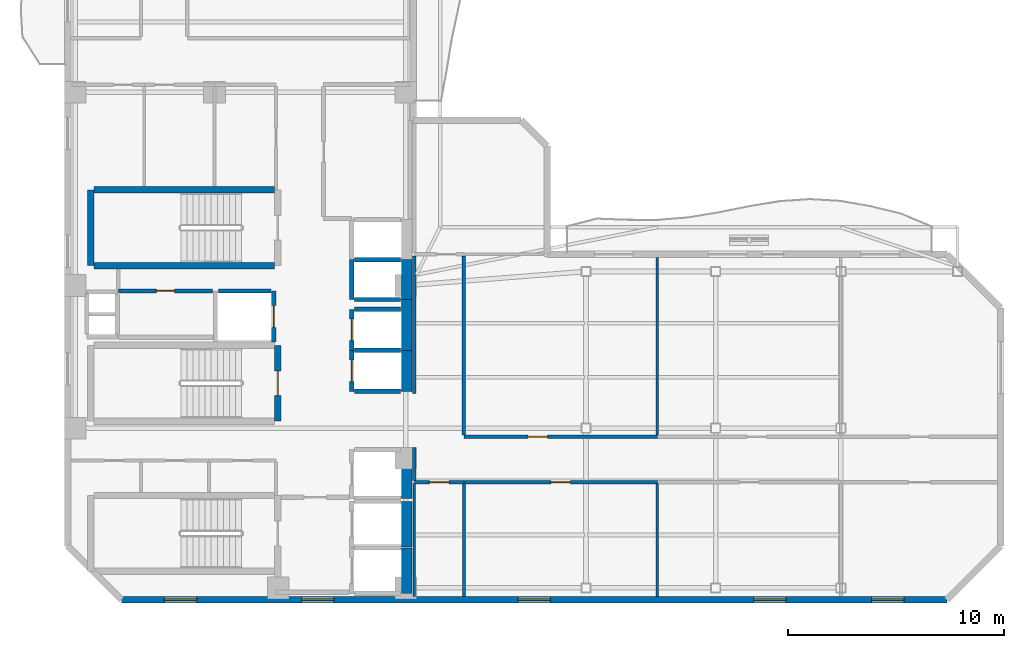
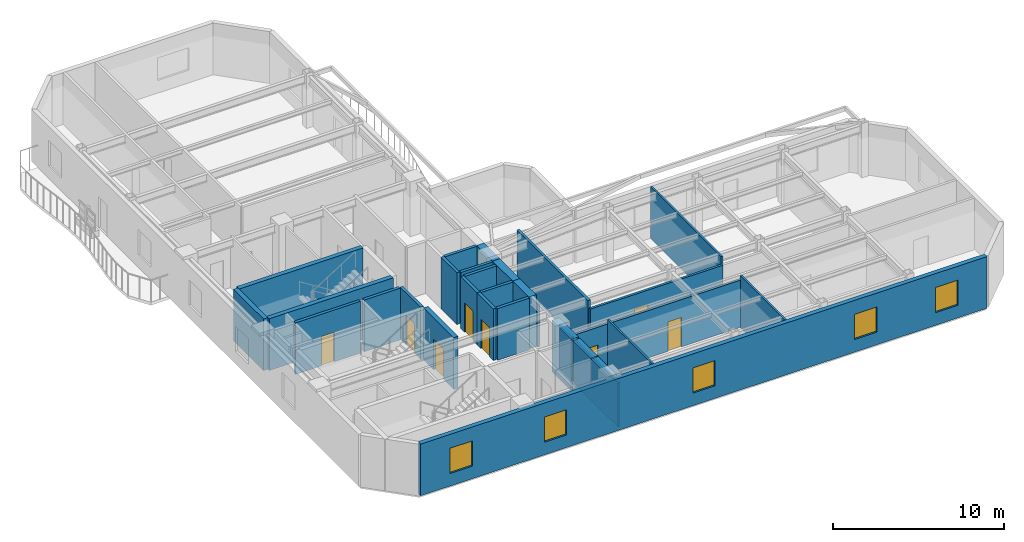
# One storey, part 3 of 8: 32 walls, 8 doors, 5 windows, 13 openings.
"""IFC4 building model written with IfcOpenShell, lengths in metres."""

from ifc_helpers import new_model, si_unit, direction, frame, frame_2d, origin, place, context, subcontext, project, spatial, rectangle, extrude, material, layer, layer_set, type_object, element, fill, save


model = new_model("IFC4")

# Units and contexts
model_context = context("Model", 3, precision=1e-05, world=origin(), true_north=direction((0.0, 1.0)))
body_context = subcontext(model_context, "Body", "Model", "MODEL_VIEW")
ifc_project = project(units=[si_unit("LENGTHUNIT", "METRE"), si_unit("AREAUNIT", "SQUARE_METRE"), si_unit("VOLUMEUNIT", "CUBIC_METRE"), si_unit("PLANEANGLEUNIT", "RADIAN"), si_unit("MASSUNIT", "GRAM", prefix="KILO")], contexts=[model_context])

# Site, building, storey
site_placement = place(None, origin())
site = spatial("IfcSite", under=ifc_project, at=site_placement, CompositionType="ELEMENT")
building_placement = place(site_placement, origin())
building = spatial("IfcBuilding", under=site, at=building_placement, Name="Mawjaban Terraces University", CompositionType="ELEMENT")
storey_placement = place(building_placement, frame((0.0, 0.0, 218.699951171875)))
storey = spatial("IfcBuildingStorey", under=building, at=storey_placement, Name="L53", CompositionType="ELEMENT", Elevation=218.699951171875)

# Walls
ifc_material_1 = material(Name="Concrete C60/75", Category="concrete")
ifc_layer_1 = layer(ifc_material_1, 0.5)
ifc_layer_set_1 = layer_set([ifc_layer_1], Name="Concrete C60/75")
wall_type_1 = type_object("IfcWallType", Name="CoreShearWall_500", PredefinedType="SHEAR", material=ifc_layer_set_1)
wall_1_placement = place(storey_placement, frame((37.699951171875, 0.300048828125, 0.0), z_axis=(0.0, 0.0, 1.0), x_axis=(0.0, 1.0, 0.0)))
element("IfcWall", 1, at=wall_1_placement, inside=storey, type_object=wall_type_1, Name="L53 Lift FL-1 Hoistway Wall East", PredefinedType="SHEAR", context=body_context, shape_type="SweptSolid", body=[
    extrude(rectangle(XDim=2.099853515625, YDim=0.5, at=frame_2d((1.0498046875, 0.0))), origin(), (0.0, 0.0, 1.0), 3.68994140625),
])
wall_2_placement = place(storey_placement, frame((37.699951171875, 2.449951171875, 0.0), z_axis=(0.0, 0.0, 1.0), x_axis=(0.0, 1.0, 0.0)))
element("IfcWall", 2, at=wall_2_placement, inside=storey, type_object=wall_type_1, Name="L53 Lift FL-2 Hoistway Wall East", PredefinedType="SHEAR", context=body_context, shape_type="SweptSolid", body=[
    extrude(rectangle(XDim=2.10009765625, YDim=0.5, at=frame_2d((1.050048828125, 0.0))), origin(), (0.0, 0.0, 1.0), 3.68994140625),
])
wall_3_placement = place(storey_placement, frame((37.699951171875, 4.699951171875, 0.0), z_axis=(0.0, 0.0, 1.0), x_axis=(0.0, 1.0, 0.0)))
element("IfcWall", 3, at=wall_3_placement, inside=storey, type_object=wall_type_1, Name="L53 Lift SL-1 Hoistway Wall East", PredefinedType="SHEAR", context=body_context, shape_type="SweptSolid", body=[
    extrude(rectangle(XDim=2.25, YDim=0.5, at=frame_2d((1.125, 0.0))), origin(), (0.0, 0.0, 1.0), 3.68994140625),
])
wall_4_placement = place(storey_placement, frame((37.699951171875, 9.64990234375, 0.0), z_axis=(0.0, 0.0, 1.0), x_axis=(0.0, 1.0, 0.0)))
element("IfcWall", 4, at=wall_4_placement, inside=storey, type_object=wall_type_1, Name="L53 Lift PL-H1 Hoistway Wall East", PredefinedType="SHEAR", context=body_context, shape_type="SweptSolid", body=[
    extrude(rectangle(XDim=1.900146484375, YDim=0.5, at=frame_2d((0.9501953125, 0.0))), origin(), (0.0, 0.0, 1.0), 3.68994140625),
])
wall_5_placement = place(storey_placement, frame((37.699951171875, 11.550048828125, 0.0), z_axis=(0.0, 0.0, 1.0), x_axis=(0.0, 1.0, 0.0)))
element("IfcWall", 5, at=wall_5_placement, inside=storey, type_object=wall_type_1, Name="L53 Lift PL-H2 Hoistway Wall East", PredefinedType="SHEAR", context=body_context, shape_type="SweptSolid", body=[
    extrude(rectangle(XDim=2.349853515625, YDim=0.5, at=frame_2d((1.1748046875, 0.0))), origin(), (0.0, 0.0, 1.0), 3.68994140625),
])
wall_6_placement = place(storey_placement, frame((37.699951171875, 13.89990234375, 0.0), z_axis=(0.0, 0.0, 1.0), x_axis=(0.0, 1.0, 0.0)))
element("IfcWall", 6, at=wall_6_placement, inside=storey, type_object=wall_type_1, Name="L53 Lift OL-1 Hoistway Wall East", PredefinedType="SHEAR", context=body_context, shape_type="SweptSolid", body=[
    extrude(rectangle(XDim=1.85009765625, YDim=0.5, at=frame_2d((0.925048828125, 0.0))), origin(), (0.0, 0.0, 1.0), 3.68994140625),
])

# Wall, opening, door
ifc_material_2 = material(Name="Fire-rated gypsum board on steel stud", Category="steel")
ifc_layer_2 = layer(ifc_material_2, 0.159912109375)
ifc_layer_set_2 = layer_set([ifc_layer_2], Name="Fire-rated gypsum board on steel stud")
wall_type_2 = type_object("IfcWallType", Name="CorridorPartition_160", PredefinedType="PARTITIONING", material=ifc_layer_set_2)
wall_7_placement = place(storey_placement, frame((38.050048828125, 5.449951171875, 0.0), z_axis=(0.0, 0.0, 1.0), x_axis=(1.0, 0.0, 0.0)))
wall_7 = element("IfcWall", 7, at=wall_7_placement, inside=storey, type_object=wall_type_2, Name="L53 South Spine Spur Link Partition 15", PredefinedType="PARTITIONING", context=body_context, shape_type="SweptSolid", body=[
    extrude(rectangle(XDim=2.300048828125, YDim=0.159912109375, at=frame_2d((1.14990234375, 0.0))), origin(), (0.0, 0.0, 1.0), 3.3720703125),
])
opening_1_placement = place(wall_7_placement, frame((0.699951171875, 0.0, 0.0)))
opening_1 = element("IfcOpeningElement", 8, at=opening_1_placement, cuts=wall_7, Name="Opening ID-090", PredefinedType="OPENING", context=body_context, shape_type="SweptSolid", body=[
    extrude(rectangle(XDim=0.89990234375, YDim=2.10009765625, at=frame_2d((0.449951171875, 1.050048828125))), frame((0.0, 0.08984375, 0.0), z_axis=(0.0, -1.0, 0.0), x_axis=(1.0, 0.0, 0.0)), (0.0, 0.0, 1.0), 0.179931640625),
])
ifc_material_3 = material(Name="Powder-coated steel frame and solid acoustic timber leaf", Category="steel")
door_type_1 = type_object("IfcDoorType", Name="OfficeDoor_900x2100", OperationType="NOTDEFINED", PredefinedType="DOOR", material=ifc_material_3)
door_1_placement = place(opening_1_placement, origin())
door_1 = element("IfcDoor", 9, at=door_1_placement, inside=storey, type_object=door_type_1, Name="L53 Collaborative Study Room 1 Door", OperationType="SINGLE_SWING_LEFT", OverallHeight=2.10009765625, OverallWidth=0.89990234375, PredefinedType="DOOR", context=body_context, shape_type="SweptSolid", body=[
    extrude(rectangle(XDim=0.89990234375, YDim=2.10009765625, at=frame_2d((0.449951171875, 1.050048828125))), frame((0.0, 0.02490234375, 0.0), z_axis=(0.0, -1.0, 0.0), x_axis=(1.0, 0.0, 0.0)), (0.0, 0.0, 1.0), 0.050048828125),
])
fill(opening_1, door_1)

wall_8_placement = place(storey_placement, frame((40.35009765625, 5.449951171875, 0.0), z_axis=(0.0, 0.0, 1.0), x_axis=(1.0, 0.0, 0.0)))
wall_8 = element("IfcWall", 10, at=wall_8_placement, inside=storey, type_object=wall_type_2, Name="L53 South Shifted Academic Corridor Partition 16", PredefinedType="PARTITIONING", context=body_context, shape_type="SweptSolid", body=[
    extrude(rectangle(XDim=8.949951171875, YDim=0.159912109375, at=frame_2d((4.47509765625, 0.0))), origin(), (0.0, 0.0, 1.0), 3.3720703125),
])
opening_2_placement = place(wall_8_placement, frame((4.02490234375, 0.0, 0.0)))
opening_2 = element("IfcOpeningElement", 11, at=opening_2_placement, cuts=wall_8, Name="Opening ID-090", PredefinedType="OPENING", context=body_context, shape_type="SweptSolid", body=[
    extrude(rectangle(XDim=0.89990234375, YDim=2.10009765625, at=frame_2d((0.449951171875, 1.050048828125))), frame((0.0, 0.08984375, 0.0), z_axis=(0.0, -1.0, 0.0), x_axis=(1.0, 0.0, 0.0)), (0.0, 0.0, 1.0), 0.179931640625),
])
door_2_placement = place(opening_2_placement, origin())
door_2 = element("IfcDoor", 12, at=door_2_placement, inside=storey, type_object=door_type_1, Name="L53 Graduate Study Lounge 2 Door", OperationType="SINGLE_SWING_RIGHT", OverallHeight=2.10009765625, OverallWidth=0.89990234375, PredefinedType="DOOR", context=body_context, shape_type="SweptSolid", body=[
    extrude(rectangle(XDim=0.89990234375, YDim=2.10009765625, at=frame_2d((0.449951171875, 1.050048828125))), frame((0.0, 0.02490234375, 0.0), z_axis=(0.0, -1.0, 0.0), x_axis=(1.0, 0.0, 0.0)), (0.0, 0.0, 1.0), 0.050048828125),
])
fill(opening_2, door_2)

wall_9_placement = place(storey_placement, frame((49.300048828125, 7.550048828125, 0.0), z_axis=(0.0, 0.0, 1.0), x_axis=(-1.0, 0.0, 0.0)))
wall_9 = element("IfcWall", 13, at=wall_9_placement, inside=storey, type_object=wall_type_2, Name="L53 South Shifted Academic Corridor Partition 20", PredefinedType="PARTITIONING", context=body_context, shape_type="SweptSolid", body=[
    extrude(rectangle(XDim=8.949951171875, YDim=0.159912109375, at=frame_2d((4.47509765625, 0.0))), origin(), (0.0, 0.0, 1.0), 3.14599609375),
])
opening_3_placement = place(wall_9_placement, frame((5.074951171875, 0.0, 0.0)))
opening_3 = element("IfcOpeningElement", 14, at=opening_3_placement, cuts=wall_9, Name="Opening ID-090", PredefinedType="OPENING", context=body_context, shape_type="SweptSolid", body=[
    extrude(rectangle(XDim=0.89990234375, YDim=2.10009765625, at=frame_2d((0.449951171875, 1.050048828125))), frame((0.0, 0.08984375, 0.0), z_axis=(0.0, -1.0, 0.0), x_axis=(1.0, 0.0, 0.0)), (0.0, 0.0, 1.0), 0.179931640625),
])
door_3_placement = place(opening_3_placement, origin())
door_3 = element("IfcDoor", 15, at=door_3_placement, inside=storey, type_object=door_type_1, Name="L53 Collaborative Study Room 3 Door", OperationType="SINGLE_SWING_LEFT", OverallHeight=2.10009765625, OverallWidth=0.89990234375, PredefinedType="DOOR", context=body_context, shape_type="SweptSolid", body=[
    extrude(rectangle(XDim=0.89990234375, YDim=2.10009765625, at=frame_2d((0.449951171875, 1.050048828125))), frame((0.0, 0.02490234375, 0.0), z_axis=(0.0, -1.0, 0.0), x_axis=(1.0, 0.0, 0.0)), (0.0, 0.0, 1.0), 0.050048828125),
])
fill(opening_3, door_3)

# Walls
wall_10_placement = place(storey_placement, frame((38.050048828125, 7.050048828125, 0.0), z_axis=(0.0, 0.0, 1.0), x_axis=(0.0, -1.0, 0.0)))
element("IfcWall", 16, at=wall_10_placement, inside=storey, type_object=wall_type_2, Name="L53 South Spine Spur Link Partition 36", PredefinedType="PARTITIONING", context=body_context, shape_type="SweptSolid", body=[
    extrude(rectangle(XDim=1.525146484375, YDim=0.159912109375, at=frame_2d((0.7626953125, 0.0))), origin(), (0.0, 0.0, 1.0), 3.14599609375),
])
wall_11_placement = place(storey_placement, frame((38.050048828125, 15.925048828125, 0.0), z_axis=(0.0, 0.0, 1.0), x_axis=(0.0, -1.0, 0.0)))
element("IfcWall", 17, at=wall_11_placement, inside=storey, type_object=wall_type_2, Name="L53 South Spine Spur Link Partition 37", PredefinedType="PARTITIONING", context=body_context, shape_type="SweptSolid", body=[
    extrude(rectangle(XDim=6.375, YDim=0.159912109375, at=frame_2d((3.1875, 0.0))), origin(), (0.0, 0.0, 1.0), 3.14599609375),
])
wall_12_placement = place(storey_placement, frame((40.35009765625, 7.625, 0.0), z_axis=(0.0, 0.0, 1.0), x_axis=(0.0, 1.0, 0.0)))
element("IfcWall", 18, at=wall_12_placement, inside=storey, type_object=wall_type_2, Name="L53 South Spine Spur Link Partition 40", PredefinedType="PARTITIONING", context=body_context, shape_type="SweptSolid", body=[
    extrude(rectangle(XDim=8.300048828125, YDim=0.159912109375, at=frame_2d((4.14990234375, 0.0))), origin(), (0.0, 0.0, 1.0), 3.68994140625),
])

# Wall, openings, windows
ifc_material_4 = material(Name="Insulated terracotta rainscreen on concrete backup C40/50", Category="masonry")
ifc_layer_3 = layer(ifc_material_4, 0.300048828125)
ifc_layer_set_3 = layer_set([ifc_layer_3], Name="Insulated terracotta rainscreen on concrete backup C40/50")
wall_type_3 = type_object("IfcWallType", Name="ExtTerracottaWall_300", PredefinedType="SOLIDWALL", material=ifc_layer_set_3)
wall_13_placement = place(storey_placement, frame((24.5, 0.0, 0.0), z_axis=(0.0, 0.0, 1.0), x_axis=(1.0, 0.0, 0.0)))
wall_13 = element("IfcWall", 19, at=wall_13_placement, inside=storey, type_object=wall_type_3, Name="L53 Exterior Terracotta Wall 1", PredefinedType="SOLIDWALL", context=body_context, shape_type="SweptSolid", body=[
    extrude(rectangle(XDim=38.199951171875, YDim=0.300048828125, at=frame_2d((19.10009765625, 0.0))), origin(), (0.0, 0.0, 1.0), 3.68994140625),
])
opening_4_placement = place(wall_13_placement, frame((1.97900390625, 0.0, 0.89990234375)))
opening_4 = element("IfcOpeningElement", 20, at=opening_4_placement, cuts=wall_13, Name="Opening W-06", PredefinedType="OPENING", context=body_context, shape_type="SweptSolid", body=[
    extrude(rectangle(XDim=1.5, YDim=1.800048828125, at=frame_2d((0.75, 0.89990234375))), frame((0.0, 0.159912109375, 0.0), z_axis=(0.0, -1.0, 0.0), x_axis=(1.0, 0.0, 0.0)), (0.0, 0.0, 1.0), 0.320068359375),
])
opening_5_placement = place(wall_13_placement, frame((8.3359375, 0.0, 0.89990234375)))
opening_5 = element("IfcOpeningElement", 21, at=opening_5_placement, cuts=wall_13, Name="Opening W-06", PredefinedType="OPENING", context=body_context, shape_type="SweptSolid", body=[
    extrude(rectangle(XDim=1.5, YDim=1.800048828125, at=frame_2d((0.75, 0.89990234375))), frame((0.0, 0.159912109375, 0.0), z_axis=(0.0, -1.0, 0.0), x_axis=(1.0, 0.0, 0.0)), (0.0, 0.0, 1.0), 0.320068359375),
])
opening_6_placement = place(wall_13_placement, frame((18.35009765625, 0.0, 0.89990234375)))
opening_6 = element("IfcOpeningElement", 22, at=opening_6_placement, cuts=wall_13, Name="Opening W-06", PredefinedType="OPENING", context=body_context, shape_type="SweptSolid", body=[
    extrude(rectangle(XDim=1.5, YDim=1.800048828125, at=frame_2d((0.75, 0.89990234375))), frame((0.0, 0.159912109375, 0.0), z_axis=(0.0, -1.0, 0.0), x_axis=(1.0, 0.0, 0.0)), (0.0, 0.0, 1.0), 0.320068359375),
])
opening_7_placement = place(wall_13_placement, frame((29.263916015625, 0.0, 0.89990234375)))
opening_7 = element("IfcOpeningElement", 23, at=opening_7_placement, cuts=wall_13, Name="Opening W-06", PredefinedType="OPENING", context=body_context, shape_type="SweptSolid", body=[
    extrude(rectangle(XDim=1.5, YDim=1.800048828125, at=frame_2d((0.75, 0.89990234375))), frame((0.0, 0.159912109375, 0.0), z_axis=(0.0, -1.0, 0.0), x_axis=(1.0, 0.0, 0.0)), (0.0, 0.0, 1.0), 0.320068359375),
])
opening_8_placement = place(wall_13_placement, frame((34.720947265625, 0.0, 0.89990234375)))
opening_8 = element("IfcOpeningElement", 24, at=opening_8_placement, cuts=wall_13, Name="Opening W-06", PredefinedType="OPENING", context=body_context, shape_type="SweptSolid", body=[
    extrude(rectangle(XDim=1.5, YDim=1.800048828125, at=frame_2d((0.75, 0.89990234375))), frame((0.0, 0.159912109375, 0.0), z_axis=(0.0, -1.0, 0.0), x_axis=(1.0, 0.0, 0.0)), (0.0, 0.0, 1.0), 0.320068359375),
])
ifc_material_5 = material(Name="Low-E solar-control double glazing in thermally broken aluminium frame", Category="aluminium")
window_type = type_object("IfcWindowType", Name="Win_1500x1800", PartitioningType="SINGLE_PANEL", PredefinedType="WINDOW", material=ifc_material_5)
window_1_placement = place(opening_4_placement, origin())
window_1 = element("IfcWindow", 25, at=window_1_placement, inside=storey, type_object=window_type, Name="L53 Facade Window 1.1", OverallHeight=1.800048828125, OverallWidth=1.5, PartitioningType="SINGLE_PANEL", PredefinedType="WINDOW", context=body_context, shape_type="SweptSolid", body=[
    extrude(rectangle(XDim=1.5, YDim=1.800048828125, at=frame_2d((0.75, 0.89990234375))), frame((0.0, 0.030029296875, 0.0), z_axis=(0.0, -1.0, 0.0), x_axis=(1.0, 0.0, 0.0)), (0.0, 0.0, 1.0), 0.06005859375),
])
fill(opening_4, window_1)
window_2_placement = place(opening_5_placement, origin())
window_2 = element("IfcWindow", 26, at=window_2_placement, inside=storey, type_object=window_type, Name="L53 Facade Window 1.2", OverallHeight=1.800048828125, OverallWidth=1.5, PartitioningType="SINGLE_PANEL", PredefinedType="WINDOW", context=body_context, shape_type="SweptSolid", body=[
    extrude(rectangle(XDim=1.5, YDim=1.800048828125, at=frame_2d((0.75, 0.89990234375))), frame((0.0, 0.030029296875, 0.0), z_axis=(0.0, -1.0, 0.0), x_axis=(1.0, 0.0, 0.0)), (0.0, 0.0, 1.0), 0.06005859375),
])
fill(opening_5, window_2)
window_3_placement = place(opening_6_placement, origin())
window_3 = element("IfcWindow", 27, at=window_3_placement, inside=storey, type_object=window_type, Name="L53 Facade Window 1.4", OverallHeight=1.800048828125, OverallWidth=1.5, PartitioningType="SINGLE_PANEL", PredefinedType="WINDOW", context=body_context, shape_type="SweptSolid", body=[
    extrude(rectangle(XDim=1.5, YDim=1.800048828125, at=frame_2d((0.75, 0.89990234375))), frame((0.0, 0.030029296875, 0.0), z_axis=(0.0, -1.0, 0.0), x_axis=(1.0, 0.0, 0.0)), (0.0, 0.0, 1.0), 0.06005859375),
])
fill(opening_6, window_3)
window_4_placement = place(opening_7_placement, origin())
window_4 = element("IfcWindow", 28, at=window_4_placement, inside=storey, type_object=window_type, Name="L53 Facade Window 1.6", OverallHeight=1.800048828125, OverallWidth=1.5, PartitioningType="SINGLE_PANEL", PredefinedType="WINDOW", context=body_context, shape_type="SweptSolid", body=[
    extrude(rectangle(XDim=1.5, YDim=1.800048828125, at=frame_2d((0.75, 0.89990234375))), frame((0.0, 0.030029296875, 0.0), z_axis=(0.0, -1.0, 0.0), x_axis=(1.0, 0.0, 0.0)), (0.0, 0.0, 1.0), 0.06005859375),
])
fill(opening_7, window_4)
window_5_placement = place(opening_8_placement, origin())
window_5 = element("IfcWindow", 29, at=window_5_placement, inside=storey, type_object=window_type, Name="L53 Facade Window 1.7", OverallHeight=1.800048828125, OverallWidth=1.5, PartitioningType="SINGLE_PANEL", PredefinedType="WINDOW", context=body_context, shape_type="SweptSolid", body=[
    extrude(rectangle(XDim=1.5, YDim=1.800048828125, at=frame_2d((0.75, 0.89990234375))), frame((0.0, 0.030029296875, 0.0), z_axis=(0.0, -1.0, 0.0), x_axis=(1.0, 0.0, 0.0)), (0.0, 0.0, 1.0), 0.06005859375),
])
fill(opening_8, window_5)

# Wall, opening, door
ifc_material_6 = material(Name="Concrete C40/50", Category="concrete")
ifc_layer_4 = layer(ifc_material_6, 0.199951171875)
ifc_layer_set_4 = layer_set([ifc_layer_4], Name="Concrete C40/50")
wall_type_4 = type_object("IfcWallType", Name="FireLobbyWall_200", PredefinedType="SOLIDWALL", material=ifc_layer_set_4)
wall_14_placement = place(storey_placement, frame((35.14990234375, 11.550048828125, 0.0), z_axis=(0.0, 0.0, 1.0), x_axis=(0.0, -1.0, 0.0)))
wall_14 = element("IfcWall", 30, at=wall_14_placement, inside=storey, type_object=wall_type_4, Name="L53 Lift PL-H1 Hoistway Wall West", PredefinedType="SOLIDWALL", context=body_context, shape_type="SweptSolid", body=[
    extrude(rectangle(XDim=1.900146484375, YDim=0.199951171875, at=frame_2d((0.9501953125, 0.0))), origin(), (0.0, 0.0, 1.0), 3.68994140625),
])
opening_9_placement = place(wall_14_placement, frame((0.449951171875, 0.0, 0.0)))
opening_9 = element("IfcOpeningElement", 31, at=opening_9_placement, cuts=wall_14, Name="Opening LD-PL-H1", PredefinedType="OPENING", context=body_context, shape_type="SweptSolid", body=[
    extrude(rectangle(XDim=1.0, YDim=2.10009765625, at=frame_2d((0.5, 1.050048828125))), frame((0.0, 0.10986328125, 0.0), z_axis=(0.0, -1.0, 0.0), x_axis=(1.0, 0.0, 0.0)), (0.0, 0.0, 1.0), 0.219970703125),
])
ifc_material_7 = material(Name="Powder-coated steel frame and fire-rated steel-faced leaf", Category="steel")
door_type_2 = type_object("IfcDoorType", Name="LiftLandingSliding_1000x2100", OperationType="NOTDEFINED", PredefinedType="DOOR", material=ifc_material_7)
door_4_placement = place(opening_9_placement, origin())
door_4 = element("IfcDoor", 32, at=door_4_placement, inside=storey, type_object=door_type_2, Name="L53 Lift PL-H1 Sliding Landing Door", OperationType="DOUBLE_DOOR_SLIDING", OverallHeight=2.10009765625, OverallWidth=1.0, PredefinedType="DOOR", context=body_context, shape_type="SweptSolid", body=[
    extrude(rectangle(XDim=1.0, YDim=2.10009765625, at=frame_2d((0.5, 1.050048828125))), frame((0.0, 0.02490234375, 0.0), z_axis=(0.0, -1.0, 0.0), x_axis=(1.0, 0.0, 0.0)), (0.0, 0.0, 1.0), 0.050048828125),
])
fill(opening_9, door_4)

# Walls
for number, where, z_axis, x_axis, name in (
    (33, (35.280029296875, 9.64990234375, 0.0), (0.0, 0.0, 1.0), (1.0, 0.0, 0.0), "L53 Lift PL-H1 Hoistway Wall South"),
    (34, (37.419921875, 11.550048828125, 0.0), (0.0, 0.0, 1.0), (-1.0, 0.0, 0.0), "L53 Lift PL-H1 Hoistway Wall North"),
):
    element("IfcWall", number, at=place(storey_placement, frame(where, z_axis=z_axis, x_axis=x_axis)), inside=storey, type_object=wall_type_4, Name=name, PredefinedType="SOLIDWALL", context=body_context, shape_type="SweptSolid", body=[
        extrude(rectangle(XDim=2.139892578125, YDim=0.199951171875, at=frame_2d((1.06982421875, 0.0))), origin(), (0.0, 0.0, 1.0), 3.68994140625),
    ])

# Wall, opening, door
wall_15_placement = place(storey_placement, frame((35.14990234375, 13.449951171875, 0.0), z_axis=(0.0, 0.0, 1.0), x_axis=(0.0, -1.0, 0.0)))
wall_15 = element("IfcWall", 35, at=wall_15_placement, inside=storey, type_object=wall_type_4, Name="L53 Lift PL-H2 Hoistway Wall West", PredefinedType="SOLIDWALL", context=body_context, shape_type="SweptSolid", body=[
    extrude(rectangle(XDim=1.89990234375, YDim=0.199951171875, at=frame_2d((0.949951171875, 0.0))), origin(), (0.0, 0.0, 1.0), 3.68994140625),
])
opening_10_placement = place(wall_15_placement, frame((0.449951171875, 0.0, 0.0)))
opening_10 = element("IfcOpeningElement", 36, at=opening_10_placement, cuts=wall_15, Name="Opening LD-PL-H2", PredefinedType="OPENING", context=body_context, shape_type="SweptSolid", body=[
    extrude(rectangle(XDim=1.0, YDim=2.10009765625, at=frame_2d((0.5, 1.050048828125))), frame((0.0, 0.10986328125, 0.0), z_axis=(0.0, -1.0, 0.0), x_axis=(1.0, 0.0, 0.0)), (0.0, 0.0, 1.0), 0.219970703125),
])
door_5_placement = place(opening_10_placement, origin())
door_5 = element("IfcDoor", 37, at=door_5_placement, inside=storey, type_object=door_type_2, Name="L53 Lift PL-H2 Sliding Landing Door", OperationType="DOUBLE_DOOR_SLIDING", OverallHeight=2.10009765625, OverallWidth=1.0, PredefinedType="DOOR", context=body_context, shape_type="SweptSolid", body=[
    extrude(rectangle(XDim=1.0, YDim=2.10009765625, at=frame_2d((0.5, 1.050048828125))), frame((0.0, 0.02490234375, 0.0), z_axis=(0.0, -1.0, 0.0), x_axis=(1.0, 0.0, 0.0)), (0.0, 0.0, 1.0), 0.050048828125),
])
fill(opening_10, door_5)

# Wall
wall_16_placement = place(storey_placement, frame((37.419921875, 13.449951171875, 0.0), z_axis=(0.0, 0.0, 1.0), x_axis=(-1.0, 0.0, 0.0)))
element("IfcWall", 38, at=wall_16_placement, inside=storey, type_object=wall_type_4, Name="L53 Lift PL-H2 Hoistway Wall North", PredefinedType="SOLIDWALL", context=body_context, shape_type="SweptSolid", body=[
    extrude(rectangle(XDim=2.139892578125, YDim=0.199951171875, at=frame_2d((1.06982421875, 0.0))), origin(), (0.0, 0.0, 1.0), 3.68994140625),
])

# Wall, opening, door
wall_17_placement = place(storey_placement, frame((31.550048828125, 11.929931640625, 0.0), z_axis=(0.0, 0.0, 1.0), x_axis=(0.0, 1.0, 0.0)))
wall_17 = element("IfcWall", 39, at=wall_17_placement, inside=storey, type_object=wall_type_4, Name="L53 Lift PL-H3 Hoistway Wall East", PredefinedType="SOLIDWALL", context=body_context, shape_type="SweptSolid", body=[
    extrude(rectangle(XDim=2.3701171875, YDim=0.199951171875, at=frame_2d((1.18505859375, 0.0))), origin(), (0.0, 0.0, 1.0), 3.68994140625),
])
opening_11_placement = place(wall_17_placement, frame((0.68505859375, 0.0, 0.0)))
opening_11 = element("IfcOpeningElement", 40, at=opening_11_placement, cuts=wall_17, Name="Opening LD-PL-H3", PredefinedType="OPENING", context=body_context, shape_type="SweptSolid", body=[
    extrude(rectangle(XDim=1.0, YDim=2.10009765625, at=frame_2d((0.5, 1.050048828125))), frame((0.0, 0.10986328125, 0.0), z_axis=(0.0, -1.0, 0.0), x_axis=(1.0, 0.0, 0.0)), (0.0, 0.0, 1.0), 0.219970703125),
])
door_6_placement = place(opening_11_placement, origin())
door_6 = element("IfcDoor", 41, at=door_6_placement, inside=storey, type_object=door_type_2, Name="L53 Lift PL-H3 Sliding Landing Door", OperationType="DOUBLE_DOOR_SLIDING", OverallHeight=2.10009765625, OverallWidth=1.0, PredefinedType="DOOR", context=body_context, shape_type="SweptSolid", body=[
    extrude(rectangle(XDim=1.0, YDim=2.10009765625, at=frame_2d((0.5, 1.050048828125))), frame((0.0, 0.02490234375, 0.0), z_axis=(0.0, -1.0, 0.0), x_axis=(1.0, 0.0, 0.0)), (0.0, 0.0, 1.0), 0.050048828125),
])
fill(opening_11, door_6)

# Walls
wall_18_placement = place(storey_placement, frame((31.419921875, 14.300048828125, 0.0), z_axis=(0.0, 0.0, 1.0), x_axis=(-1.0, 0.0, 0.0)))
element("IfcWall", 42, at=wall_18_placement, inside=storey, type_object=wall_type_4, Name="L53 Lift PL-H3 Hoistway Wall North", PredefinedType="SOLIDWALL", context=body_context, shape_type="SweptSolid", body=[
    extrude(rectangle(XDim=2.43994140625, YDim=0.199951171875, at=frame_2d((1.219970703125, 0.0))), origin(), (0.0, 0.0, 1.0), 3.68994140625),
])
wall_19_placement = place(storey_placement, frame((35.14990234375, 15.75, 0.0), z_axis=(0.0, 0.0, 1.0), x_axis=(0.0, -1.0, 0.0)))
element("IfcWall", 43, at=wall_19_placement, inside=storey, type_object=wall_type_4, Name="L53 Lift OL-1 Hoistway Wall West", PredefinedType="SOLIDWALL", context=body_context, shape_type="SweptSolid", body=[
    extrude(rectangle(XDim=1.85009765625, YDim=0.199951171875, at=frame_2d((0.925048828125, 0.0))), origin(), (0.0, 0.0, 1.0), 3.68994140625),
])
for number, where, z_axis, x_axis, name in (
    (44, (35.280029296875, 13.89990234375, 0.0), (0.0, 0.0, 1.0), (1.0, 0.0, 0.0), "L53 Lift OL-1 Hoistway Wall South"),
    (45, (37.419921875, 15.75, 0.0), (0.0, 0.0, 1.0), (-1.0, 0.0, 0.0), "L53 Lift OL-1 Hoistway Wall North"),
):
    element("IfcWall", number, at=place(storey_placement, frame(where, z_axis=z_axis, x_axis=x_axis)), inside=storey, type_object=wall_type_4, Name=name, PredefinedType="SOLIDWALL", context=body_context, shape_type="SweptSolid", body=[
        extrude(rectangle(XDim=2.139892578125, YDim=0.199951171875, at=frame_2d((1.06982421875, 0.0))), origin(), (0.0, 0.0, 1.0), 3.68994140625),
    ])

# Wall, opening, door
wall_20_placement = place(storey_placement, frame((24.35009765625, 14.300048828125, 0.0), z_axis=(0.0, 0.0, 1.0), x_axis=(1.0, 0.0, 0.0)))
wall_20 = element("IfcWall", 46, at=wall_20_placement, inside=storey, type_object=wall_type_4, Name="L53 Core Riser Access Passage Partition 3", PredefinedType="SOLIDWALL", context=body_context, shape_type="SweptSolid", body=[
    extrude(rectangle(XDim=4.369873046875, YDim=0.199951171875, at=frame_2d((2.18505859375, 0.0))), origin(), (0.0, 0.0, 1.0), 3.68994140625),
])
opening_12_placement = place(wall_20_placement, frame((1.760009765625, 0.0, 0.0)))
opening_12 = element("IfcOpeningElement", 47, at=opening_12_placement, cuts=wall_20, Name="Opening FD-085", PredefinedType="OPENING", context=body_context, shape_type="SweptSolid", body=[
    extrude(rectangle(XDim=0.85009765625, YDim=2.10009765625, at=frame_2d((0.425048828125, 1.050048828125))), frame((0.0, 0.10986328125, 0.0), z_axis=(0.0, -1.0, 0.0), x_axis=(1.0, 0.0, 0.0)), (0.0, 0.0, 1.0), 0.219970703125),
])
door_type_3 = type_object("IfcDoorType", Name="FireRiserDoor_850x2100", OperationType="NOTDEFINED", PredefinedType="DOOR", material=ifc_material_7)
door_7_placement = place(opening_12_placement, origin())
door_7 = element("IfcDoor", 48, at=door_7_placement, inside=storey, type_object=door_type_3, Name="L53 IT and Telecoms Riser Room Door", OperationType="SINGLE_SWING_RIGHT", OverallHeight=2.10009765625, OverallWidth=0.85009765625, PredefinedType="DOOR", context=body_context, shape_type="SweptSolid", body=[
    extrude(rectangle(XDim=0.85009765625, YDim=2.10009765625, at=frame_2d((0.425048828125, 1.050048828125))), frame((0.0, 0.02490234375, 0.0), z_axis=(0.0, -1.0, 0.0), x_axis=(1.0, 0.0, 0.0)), (0.0, 0.0, 1.0), 0.050048828125),
])
fill(opening_12, door_7)

# Walls
ifc_material_8 = material(Name="Gypsum plasterboard on steel stud", Category="steel")
ifc_layer_5 = layer(ifc_material_8, 0.125)
ifc_layer_set_5 = layer_set([ifc_layer_5], Name="Gypsum plasterboard on steel stud")
wall_type_5 = type_object("IfcWallType", Name="OfficePartition_125", PredefinedType="PARTITIONING", material=ifc_layer_set_5)
wall_21_placement = place(storey_placement, frame((38.050048828125, 5.375, 0.0), z_axis=(0.0, 0.0, 1.0), x_axis=(0.0, -1.0, 0.0)))
element("IfcWall", 49, at=wall_21_placement, inside=storey, type_object=wall_type_5, Name="L53 Collaborative Study Room 1 Partition 35", PredefinedType="PARTITIONING", context=body_context, shape_type="SweptSolid", body=[
    extrude(rectangle(XDim=5.22998046875, YDim=0.125, at=frame_2d((2.614990234375, 0.0))), origin(), (0.0, 0.0, 1.0), 3.14599609375),
])
for number, where, z_axis, x_axis, name in (
    (50, (40.35009765625, 0.14501953125, 0.0), (0.0, 0.0, 1.0), (0.0, 1.0, 0.0), "L53 Collaborative Study Room 1 Partition 39"),
    (51, (49.300048828125, 0.14501953125, 0.0), (0.0, 0.0, 1.0), (0.0, 1.0, 0.0), "L53 Graduate Study Lounge 2 Partition 41"),
):
    element("IfcWall", number, at=place(storey_placement, frame(where, z_axis=z_axis, x_axis=x_axis)), inside=storey, type_object=wall_type_5, Name=name, PredefinedType="PARTITIONING", context=body_context, shape_type="SweptSolid", body=[
        extrude(rectangle(XDim=5.22998046875, YDim=0.125, at=frame_2d((2.614990234375, 0.0))), origin(), (0.0, 0.0, 1.0), 3.68994140625),
    ])
wall_22_placement = place(storey_placement, frame((49.300048828125, 7.625, 0.0), z_axis=(0.0, 0.0, 1.0), x_axis=(0.0, 1.0, 0.0)))
element("IfcWall", 52, at=wall_22_placement, inside=storey, type_object=wall_type_5, Name="L53 Collaborative Study Room 3 Partition 42", PredefinedType="PARTITIONING", context=body_context, shape_type="SweptSolid", body=[
    extrude(rectangle(XDim=8.22998046875, YDim=0.125, at=frame_2d((4.114990234375, 0.0))), origin(), (0.0, 0.0, 1.0), 3.68994140625),
])
ifc_layer_6 = layer(ifc_material_1, 0.300048828125)
ifc_layer_set_6 = layer_set([ifc_layer_6], Name="Concrete C60/75")
wall_type_6 = type_object("IfcWallType", Name="StairShaftWall_300", PredefinedType="SHEAR", material=ifc_layer_set_6)
wall_23_placement = place(storey_placement, frame((31.580078125, 18.97998046875, 0.0), z_axis=(0.0, 0.0, 1.0), x_axis=(-1.0, 0.0, 0.0)))
element("IfcWall", 53, at=wall_23_placement, inside=storey, type_object=wall_type_6, Name="L53 ST-2 Stair Shaft Wall 1", PredefinedType="SHEAR", context=body_context, shape_type="SweptSolid", body=[
    extrude(rectangle(XDim=8.360107421875, YDim=0.300048828125, at=frame_2d((4.18017578125, 0.0))), origin(), (0.0, 0.0, 1.0), 3.68994140625),
])
wall_24_placement = place(storey_placement, frame((23.070068359375, 18.97998046875, 0.0), z_axis=(0.0, 0.0, 1.0), x_axis=(0.0, -1.0, 0.0)))
element("IfcWall", 54, at=wall_24_placement, inside=storey, type_object=wall_type_6, Name="L53 ST-2 Stair Shaft Wall 2", PredefinedType="SHEAR", context=body_context, shape_type="SweptSolid", body=[
    extrude(rectangle(XDim=3.510009765625, YDim=0.300048828125, at=frame_2d((1.7548828125, 0.0))), origin(), (0.0, 0.0, 1.0), 3.68994140625),
])
wall_25_placement = place(storey_placement, frame((23.219970703125, 15.469970703125, 0.0), z_axis=(0.0, 0.0, 1.0), x_axis=(1.0, 0.0, 0.0)))
element("IfcWall", 55, at=wall_25_placement, inside=storey, type_object=wall_type_6, Name="L53 ST-2 Stair Shaft Wall 3", PredefinedType="SHEAR", context=body_context, shape_type="SweptSolid", body=[
    extrude(rectangle(XDim=8.360107421875, YDim=0.300048828125, at=frame_2d((4.18017578125, 0.0))), origin(), (0.0, 0.0, 1.0), 3.68994140625),
])

# Wall, opening, door
wall_26_placement = place(storey_placement, frame((31.72998046875, 8.27001953125, 0.0), z_axis=(0.0, 0.0, 1.0), x_axis=(0.0, 1.0, 0.0)))
wall_26 = element("IfcWall", 56, at=wall_26_placement, inside=storey, type_object=wall_type_6, Name="L53 ST-3 Stair Shaft Wall 4", PredefinedType="SHEAR", context=body_context, shape_type="SweptSolid", body=[
    extrude(rectangle(XDim=3.510009765625, YDim=0.300048828125, at=frame_2d((1.7548828125, 0.0))), origin(), (0.0, 0.0, 1.0), 3.68994140625),
])
opening_13_placement = place(wall_26_placement, frame((1.179931640625, 0.0, 0.0)))
opening_13 = element("IfcOpeningElement", 57, at=opening_13_placement, cuts=wall_26, Name="Opening FD-115", PredefinedType="OPENING", context=body_context, shape_type="SweptSolid", body=[
    extrude(rectangle(XDim=1.14990234375, YDim=2.14990234375, at=frame_2d((0.574951171875, 1.074951171875))), frame((0.0, 0.159912109375, 0.0), z_axis=(0.0, -1.0, 0.0), x_axis=(1.0, 0.0, 0.0)), (0.0, 0.0, 1.0), 0.320068359375),
])
door_type_4 = type_object("IfcDoorType", Name="FireStairDoor_1150x2150", OperationType="NOTDEFINED", PredefinedType="DOOR", material=ifc_material_7)
door_8_placement = place(opening_13_placement, origin())
door_8 = element("IfcDoor", 58, at=door_8_placement, inside=storey, type_object=door_type_4, Name="L53 ST-3 Pressurised Stair Fire Door", OperationType="SINGLE_SWING_LEFT", OverallHeight=2.14990234375, OverallWidth=1.14990234375, PredefinedType="DOOR", context=body_context, shape_type="SweptSolid", body=[
    extrude(rectangle(XDim=1.14990234375, YDim=2.14990234375, at=frame_2d((0.574951171875, 1.074951171875))), frame((0.0, 0.02490234375, 0.0), z_axis=(0.0, -1.0, 0.0), x_axis=(1.0, 0.0, 0.0)), (0.0, 0.0, 1.0), 0.050048828125),
])
fill(opening_13, door_8)

save(model, "model.ifc")
